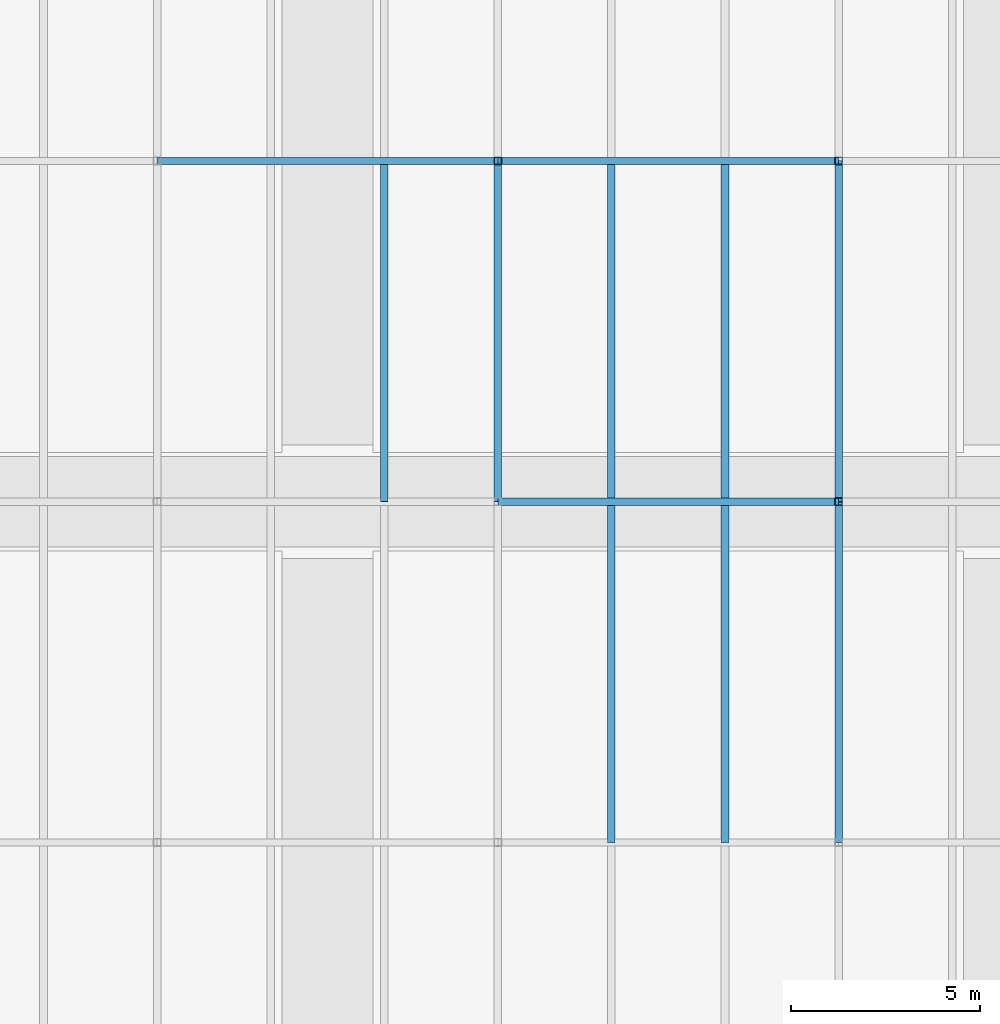
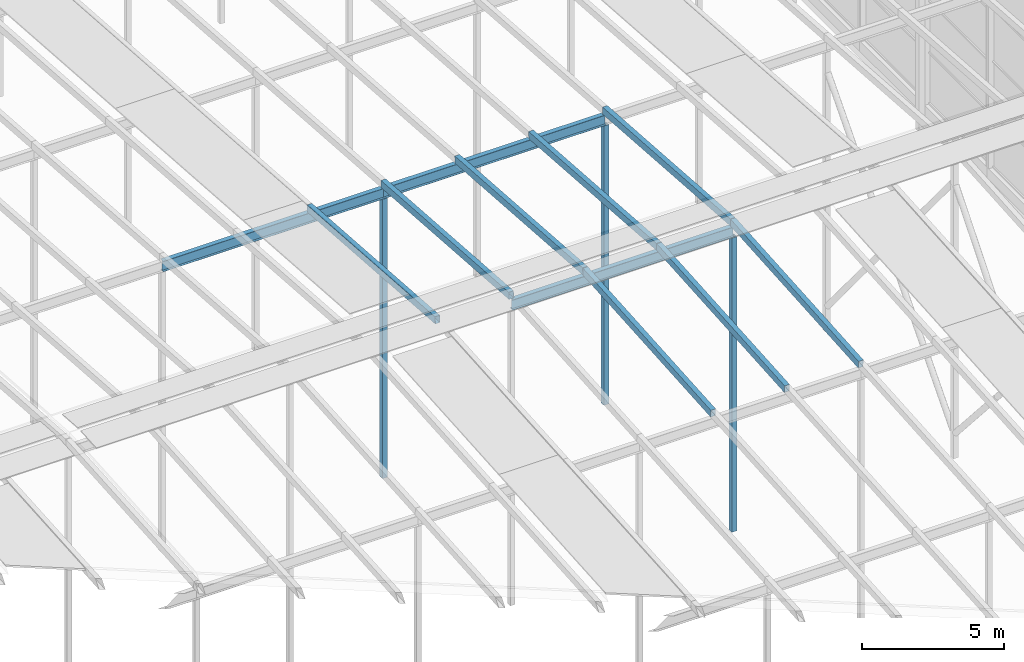
# One storey, part 26 of 84: 11 members, 3 beams.
"""IFC4 building model written with IfcOpenShell, lengths in metres."""

from ifc_helpers import new_model, si_unit, direction, frame, origin, origin_2d, place, context, subcontext, project, spatial, hollow_rectangle, i_section, extrude, material, material_profile, profile_set, type_object, element, save


model = new_model("IFC4")

# Units and contexts
model_context = context("Model", 3, precision=1e-05, world=origin(), true_north=direction((0.0, 1.0)))
body_context = subcontext(model_context, "Body", "Model", "MODEL_VIEW")
ifc_project = project(units=[si_unit("LENGTHUNIT", "METRE"), si_unit("AREAUNIT", "SQUARE_METRE"), si_unit("VOLUMEUNIT", "CUBIC_METRE"), si_unit("PLANEANGLEUNIT", "RADIAN"), si_unit("MASSUNIT", "GRAM", prefix="KILO")], contexts=[model_context])

# Site, building, storey
site_placement = place(None, origin())
site = spatial("IfcSite", under=ifc_project, at=site_placement, CompositionType="ELEMENT")
building_placement = place(site_placement, origin())
building = spatial("IfcBuilding", under=site, at=building_placement, Name="Silverbay Arena", CompositionType="ELEMENT")
storey_placement = place(building_placement, frame((0.0, 0.0, 47.10009765625)))
storey = spatial("IfcBuildingStorey", under=building, at=storey_placement, Name="ROOF", CompositionType="ELEMENT", Elevation=47.10009765625)

# Members
ifc_material_1 = material(Name="Steel S355", Category="steel")
ifc_material_profile_1 = material_profile(ifc_material_1, hollow_rectangle(XDim=0.199951171875, YDim=0.300048828125, WallThickness=0.00634765625, at=origin_2d()), Name="RHS 300x200x6.3")
ifc_profile_set_1 = profile_set([ifc_material_profile_1], Name="Steel S355")
member_type_1 = type_object("IfcMemberType", Name="Purlin RHS 300x200x6.3", PredefinedType="PURLIN", material=ifc_profile_set_1)
for number, where, z_axis, x_axis, name in (
    (1, (150.0, 81.0, 12.6494140625), (0.0, 0.997402911363, -0.072023832195), (-1.0, 0.0, 0.0), "ROOF PURLIN crown line 24 bay 07"),
    (2, (153.0, 81.0, 12.6494140625), (0.0, 0.997402911363, -0.072023832195), (-1.0, 0.0, 0.0), "ROOF PURLIN crown line 25 bay 07"),
    (3, (156.0, 72.0, 11.99951171875), (0.0, 0.997402911363, 0.072023832195), (-1.0, 0.0, 0.0), "ROOF PURLIN crown line 26 bay 06"),
    (4, (156.0, 81.0, 12.6494140625), (0.0, 0.997402911363, -0.072023832195), (-1.0, 0.0, 0.0), "ROOF PURLIN crown line 26 bay 07"),
    (5, (159.0, 72.0, 11.99951171875), (0.0, 0.997402911363, 0.072023832195), (-1.0, 0.0, 0.0), "ROOF PURLIN crown line 27 bay 06"),
    (6, (159.0, 81.0, 12.6494140625), (0.0, 0.997402911363, -0.072023832195), (-1.0, 0.0, 0.0), "ROOF PURLIN crown line 27 bay 07"),
    (7, (162.0, 72.0, 11.99951171875), (0.0, 0.997402911363, 0.072023832195), (-1.0, 0.0, 0.0), "ROOF PURLIN crown line 28 bay 06"),
    (8, (162.0, 81.0, 12.6494140625), (0.0, 0.997402911363, -0.072023832195), (-1.0, 0.0, 0.0), "ROOF PURLIN crown line 28 bay 07"),
):
    element("IfcMember", number, at=place(storey_placement, frame(where, z_axis=z_axis, x_axis=x_axis)), inside=storey, type_object=member_type_1, Name=name, PredefinedType="PURLIN", context=body_context, shape_type="SweptSolid", body=[
        extrude(hollow_rectangle(XDim=0.199951171875, YDim=0.300048828125, WallThickness=0.00634765625, at=origin_2d()), origin(), (0.0, 0.0, 1.0), 9.0234375),
    ])

# Beams
ifc_material_2 = material(Name="Steel S355", Category="steel")
ifc_material_profile_2 = material_profile(ifc_material_2, i_section(OverallWidth=0.18994140625, OverallDepth=0.453369140625, WebThickness=0.008544921875, FlangeThickness=0.0126953125, at=origin_2d()), Name="UB 457x191x67")
ifc_profile_set_2 = profile_set([ifc_material_profile_2], Name="Steel S355")
beam_type = type_object("IfcBeamType", Name="Ring beam UB 457x191x67", PredefinedType="BEAM", material=ifc_profile_set_2)
for number, where, z_axis, x_axis, name in (
    (9, (153.0, 81.0, 12.2724609375), (1.0, 0.0, 0.0), (0.0, 1.0, 0.0), "RING BEAM crown row 07 18-19"),
    (10, (144.0, 90.0, 11.622314453125), (1.0, 0.0, 0.0), (0.0, 1.0, 0.0), "RING BEAM crown row 08 17-18"),
    (11, (153.0, 90.0, 11.622314453125), (1.0, 0.0, 0.0), (0.0, 1.0, 0.0), "RING BEAM crown row 08 18-19"),
):
    element("IfcBeam", number, at=place(storey_placement, frame(where, z_axis=z_axis, x_axis=x_axis)), inside=storey, type_object=beam_type, Name=name, PredefinedType="BEAM", context=body_context, shape_type="SweptSolid", body=[
        extrude(i_section(OverallWidth=0.18994140625, OverallDepth=0.453369140625, WebThickness=0.008544921875, FlangeThickness=0.0126953125, at=origin_2d()), origin(), (0.0, 0.0, 1.0), 9.0),
    ])

# Members
ifc_material_3 = material(Name="Steel S355", Category="steel")
ifc_material_profile_3 = material_profile(ifc_material_3, hollow_rectangle(XDim=0.199951171875, YDim=0.199951171875, WallThickness=0.008056640625, at=origin_2d()), Name="SHS 200x200x8")
ifc_profile_set_3 = profile_set([ifc_material_profile_3], Name="Steel S355")
member_type_2 = type_object("IfcMemberType", Name="Roof post SHS 200x200x8", PredefinedType="POST", material=ifc_profile_set_3)
member_1_placement = place(storey_placement, frame((153.0, 90.0, -0.60009765625), z_axis=(0.0, 0.0, 1.0), x_axis=(1.0, 0.0, 0.0)))
element("IfcMember", 12, at=member_1_placement, inside=storey, type_object=member_type_2, Name="ROOF CROWN POST 18 row 08", PredefinedType="POST", context=body_context, shape_type="SweptSolid", body=[
    extrude(hollow_rectangle(XDim=0.199951171875, YDim=0.199951171875, WallThickness=0.008056640625, at=origin_2d()), origin(), (0.0, 0.0, 1.0), 11.995849609375),
])
member_2_placement = place(storey_placement, frame((162.0, 81.0, -0.60009765625), z_axis=(0.0, 0.0, 1.0), x_axis=(1.0, 0.0, 0.0)))
element("IfcMember", 13, at=member_2_placement, inside=storey, type_object=member_type_2, Name="ROOF CROWN POST 19 row 07", PredefinedType="POST", context=body_context, shape_type="SweptSolid", body=[
    extrude(hollow_rectangle(XDim=0.199951171875, YDim=0.199951171875, WallThickness=0.008056640625, at=origin_2d()), origin(), (0.0, 0.0, 1.0), 12.645751953125),
])
member_3_placement = place(storey_placement, frame((162.0, 90.0, -0.60009765625), z_axis=(0.0, 0.0, 1.0), x_axis=(1.0, 0.0, 0.0)))
element("IfcMember", 14, at=member_3_placement, inside=storey, type_object=member_type_2, Name="ROOF CROWN POST 19 row 08", PredefinedType="POST", context=body_context, shape_type="SweptSolid", body=[
    extrude(hollow_rectangle(XDim=0.199951171875, YDim=0.199951171875, WallThickness=0.008056640625, at=origin_2d()), origin(), (0.0, 0.0, 1.0), 11.995849609375),
])

save(model, "model.ifc")
